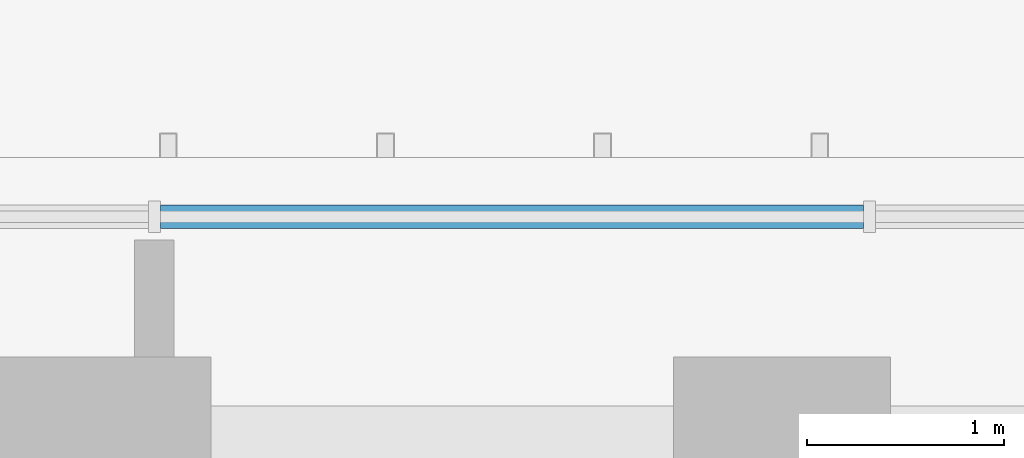
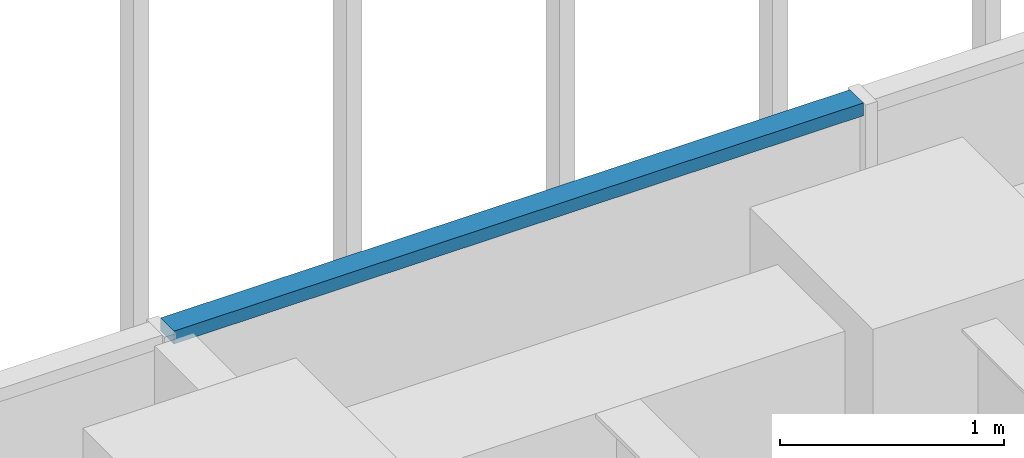
# One storey, part 96 of 127: 1 member, 1 element without a shape of its own.
"""IFC4 building model written with IfcOpenShell, lengths in metres."""

from ifc_helpers import new_model, si_unit, direction, frame, origin, origin_2d, place, context, subcontext, project, spatial, rectangle, extrude, material, material_profile, profile_set, type_object, element, aggregate, save


model = new_model("IFC4")

# Units and contexts
model_context = context("Model", 3, precision=1e-05, world=origin(), true_north=direction((0.0, 1.0)))
body_context = subcontext(model_context, "Body", "Model", "MODEL_VIEW")
ifc_project = project(units=[si_unit("LENGTHUNIT", "METRE"), si_unit("AREAUNIT", "SQUARE_METRE"), si_unit("VOLUMEUNIT", "CUBIC_METRE"), si_unit("PLANEANGLEUNIT", "RADIAN"), si_unit("MASSUNIT", "GRAM", prefix="KILO")], contexts=[model_context])

# Site, building, storey
site_placement = place(None, origin())
site = spatial("IfcSite", under=ifc_project, at=site_placement, CompositionType="ELEMENT")
building_placement = place(site_placement, origin())
building = spatial("IfcBuilding", under=site, at=building_placement, Name="Sandreach Pilgrim Tower", CompositionType="ELEMENT")
storey_placement = place(building_placement, frame((0.0, 0.0, 257.0)))
storey = spatial("IfcBuildingStorey", under=building, at=storey_placement, Name="L64", CompositionType="ELEMENT", Elevation=257.0)

# Curtain wall, member
ifc_material_1 = material(Name="Aluminium framed curtain wall", Category="aluminium")
curtain_wall_type = type_object("IfcCurtainWallType", Name="Suite tower curtain wall", PredefinedType="NOTDEFINED", material=ifc_material_1)
curtain_wall_placement = place(storey_placement, origin())
curtain_wall = element("IfcCurtainWall", 1, at=curtain_wall_placement, inside=storey, type_object=curtain_wall_type, Name="CW-4 L64 N", PredefinedType="NOTDEFINED")
ifc_material_2 = material(Name="Aluminium extrusion", Category="aluminium")
ifc_material_profile = material_profile(ifc_material_2, rectangle(XDim=0.1201171875, YDim=0.070068359375, at=origin_2d()), Name="CW-4T 120X70")
ifc_profile_set = profile_set([ifc_material_profile], Name="Aluminium extrusion")
member_type = type_object("IfcMemberType", Name="CW-4 transom", PredefinedType="USERDEFINED", material=ifc_profile_set)
member_placement = place(storey_placement, frame((5.462890625, 19.826416015625, 3.60498046875), z_axis=(1.0, 0.0, 0.0), x_axis=(0.0, 1.0, 0.0)))
member = element("IfcMember", 2, at=member_placement, type_object=member_type, Name="CW-4 head transom 7", ObjectType="TRANSOM", PredefinedType="USERDEFINED", context=body_context, shape_type="SweptSolid", body=[
    extrude(rectangle(XDim=0.1201171875, YDim=0.070068359375, at=origin_2d()), origin(), (0.0, 0.0, 1.0), 3.561767578125),
])
aggregate(curtain_wall, [member])

save(model, "model.ifc")
